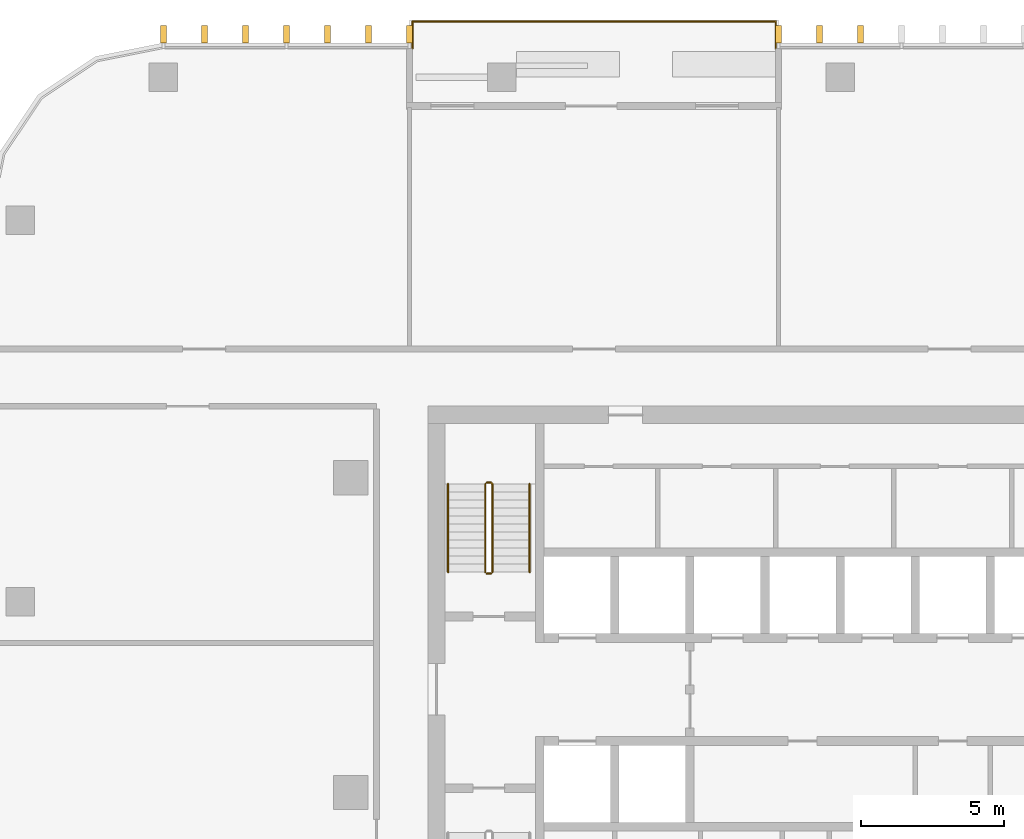
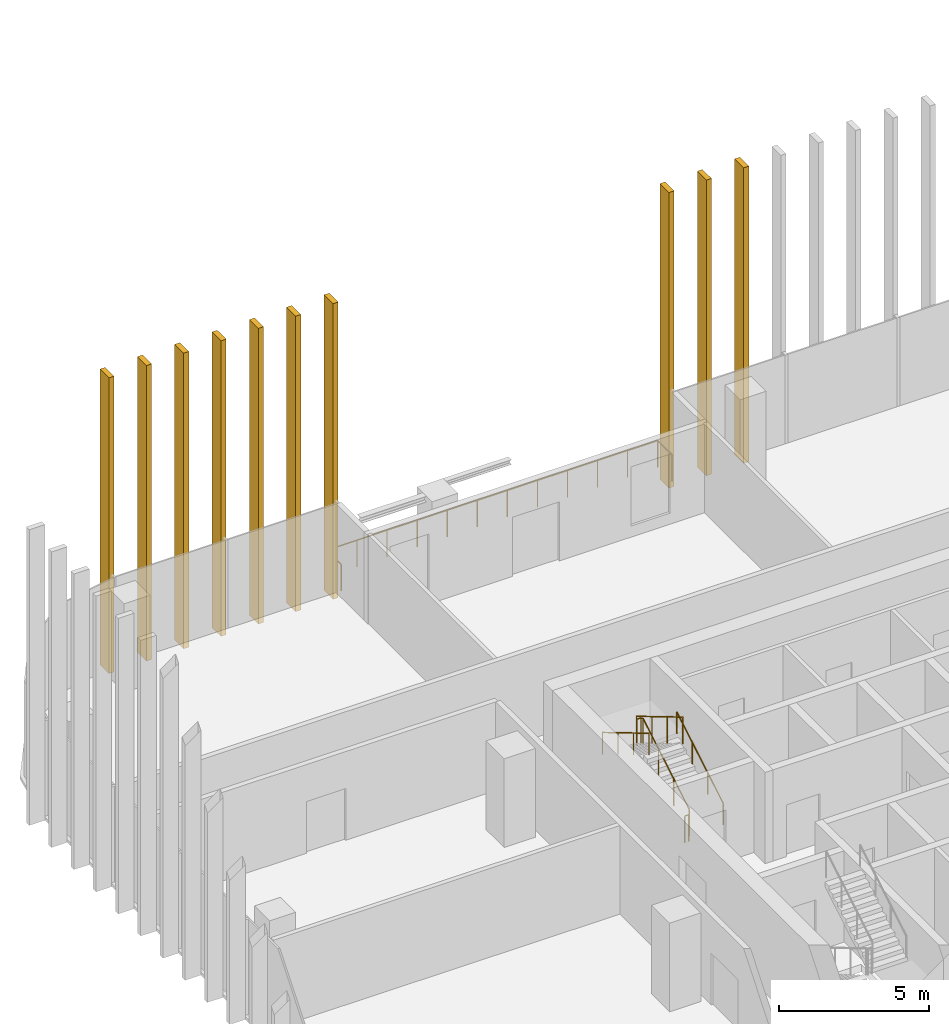
# One storey, part 15 of 16: 10 shading devices, 6 railings.
"""IFC4 building model written with IfcOpenShell, lengths in metres."""

from ifc_helpers import new_model, si_unit, direction, frame, origin, origin_2d, place, context, subcontext, project, spatial, rectangle, circle, extrude, material, type_object, element, save


model = new_model("IFC4")

# Units and contexts
model_context = context("Model", 3, precision=1e-05, world=origin(), true_north=direction((0.0, 1.0)))
body_context = subcontext(model_context, "Body", "Model", "MODEL_VIEW")
ifc_project = project(units=[si_unit("LENGTHUNIT", "METRE"), si_unit("AREAUNIT", "SQUARE_METRE"), si_unit("VOLUMEUNIT", "CUBIC_METRE"), si_unit("PLANEANGLEUNIT", "RADIAN"), si_unit("MASSUNIT", "GRAM", prefix="KILO")], contexts=[model_context])

# Site, building, storey
site_placement = place(None, origin())
site = spatial("IfcSite", under=ifc_project, at=site_placement, CompositionType="ELEMENT")
building_placement = place(site_placement, origin())
building = spatial("IfcBuilding", under=site, at=building_placement, Name="Mopane Tessera Tower", CompositionType="ELEMENT")
storey_placement = place(building_placement, frame((0.0, 0.0, 291.39990234375)))
storey = spatial("IfcBuildingStorey", under=building, at=storey_placement, Name="L63", CompositionType="ELEMENT", Elevation=291.39990234375)

# Shading devices
ifc_material_1 = material(Name="Glazed ceramic tile")
shading_device_type = type_object("IfcShadingDeviceType", Name="Ceramic tile fin 600 x 200 mm", PredefinedType="USERDEFINED", material=ifc_material_1)
for number, where, z_axis, x_axis, name in (
    (1, (0.716552734375, 26.5, -0.39990234375), (0.0, 0.0, 1.0), (-1.0, 0.0, 0.0), "e:fin:L63:N:5:1"),
    (2, (-0.716552734375, 26.5, -0.39990234375), (0.0, 0.0, 1.0), (-1.0, 0.0, 0.0), "e:fin:L63:N:5:2"),
    (3, (-2.14990234375, 26.5, -0.39990234375), (0.0, 0.0, 1.0), (-1.0, 0.0, 0.0), "e:fin:L63:N:5:3"),
    (4, (-15.050048828125, 26.5, -0.39990234375), (0.0, 0.0, 1.0), (-1.0, 0.0, 0.0), "e:fin:L63:N:9:0"),
    (5, (-16.4833984375, 26.5, -0.39990234375), (0.0, 0.0, 1.0), (-1.0, 0.0, 0.0), "e:fin:L63:N:9:1"),
    (6, (-17.916748046875, 26.5, -0.39990234375), (0.0, 0.0, 1.0), (-1.0, 0.0, 0.0), "e:fin:L63:N:9:2"),
    (7, (-19.35009765625, 26.5, -0.39990234375), (0.0, 0.0, 1.0), (-1.0, 0.0, 0.0), "e:fin:L63:N:10:0"),
    (8, (-20.783447265625, 26.5, -0.39990234375), (0.0, 0.0, 1.0), (-1.0, 0.0, 0.0), "e:fin:L63:N:10:1"),
    (9, (-22.216552734375, 26.5, -0.39990234375), (0.0, 0.0, 1.0), (-1.0, 0.0, 0.0), "e:fin:L63:N:10:2"),
    (10, (-23.64990234375, 26.5, -0.39990234375), (0.0, 0.0, 1.0), (-1.0, 0.0, 0.0), "e:fin:L63:N:10:3"),
):
    element("IfcShadingDevice", number, at=place(storey_placement, frame(where, z_axis=z_axis, x_axis=x_axis)), inside=storey, type_object=shading_device_type, Name=name, ObjectType="FIN", PredefinedType="USERDEFINED", context=body_context, shape_type="SweptSolid", body=[
        extrude(rectangle(XDim=0.199951171875, YDim=0.60009765625, at=origin_2d()), origin(), (0.0, 0.0, 1.0), 12.0),
    ])

# Railings
ifc_material_2 = material(Name="Powder-coated steel balustrade", Category="steel")
railing_type_1 = type_object("IfcRailingType", Name="Escape stair guard 1100 mm", PredefinedType="GUARDRAIL", material=ifc_material_2)
railing_1_placement = place(storey_placement, frame((-12.14990234375, 7.699951171875, 0.166748046875)))
element("IfcRailing", 11, at=railing_1_placement, inside=storey, type_object=railing_type_1, Name="L63 ST2 stair guard 1", PredefinedType="GUARDRAIL", context=body_context, shape_type="SweptSolid", body=[
    extrude(circle(Radius=0.02392578125, at=origin_2d()), frame((0.0, 0.0, 1.076171875), z_axis=(0.0, 0.859308565015, 0.511457515432), x_axis=(-1.0, 0.0, 0.0)), (0.0, 0.0, 1.0), 3.58447265625),
    extrude(circle(Radius=0.02392578125, at=origin_2d()), frame((0.0, 3.080078125, 2.9091796875), z_axis=(-0.707106781187, 0.707106781187, 0.0), x_axis=(-0.707106781187, -0.707106781187, 0.0)), (0.0, 0.0, 1.0), 0.07080078125),
    extrude(circle(Radius=0.02392578125, at=origin_2d()), frame((-0.050048828125, 3.130126953125, 2.9091796875), z_axis=(-1.0, 0.0, 0.0), x_axis=(0.0, -1.0, 0.0)), (0.0, 0.0, 1.0), 0.150146484375),
    extrude(circle(Radius=0.02099609375, at=origin_2d()), origin(), (0.0, 0.0, 1.0), 1.052001953125),
    extrude(circle(Radius=0.02099609375, at=origin_2d()), frame((0.0, 1.026611328125, 0.611083984375)), (0.0, 0.0, 1.0), 1.052001953125),
    extrude(circle(Radius=0.02099609375, at=origin_2d()), frame((0.0, 2.053466796875, 1.22216796875)), (0.0, 0.0, 1.0), 1.052001953125),
    extrude(circle(Radius=0.02099609375, at=origin_2d()), frame((0.0, 3.080078125, 1.833251953125)), (0.0, 0.0, 1.0), 1.052001953125),
    extrude(circle(Radius=0.02099609375, at=origin_2d()), frame((-0.050048828125, 3.130126953125, 1.833251953125)), (0.0, 0.0, 1.0), 1.052001953125),
    extrude(circle(Radius=0.02099609375, at=origin_2d()), frame((-0.2001953125, 3.130126953125, 1.833251953125)), (0.0, 0.0, 1.0), 1.052001953125),
])
railing_2_placement = place(storey_placement, frame((-12.39990234375, 10.780029296875, 2.166748046875)))
element("IfcRailing", 12, at=railing_2_placement, inside=storey, type_object=railing_type_1, Name="L63 ST2 stair guard 2", PredefinedType="GUARDRAIL", context=body_context, shape_type="SweptSolid", body=[
    extrude(circle(Radius=0.02392578125, at=origin_2d()), frame((0.0, 0.0, 1.076171875), z_axis=(0.0, -0.859308565015, 0.511457515432), x_axis=(1.0, 0.0, 0.0)), (0.0, 0.0, 1.0), 3.58447265625),
    extrude(circle(Radius=0.02099609375, at=origin_2d()), origin(), (0.0, 0.0, 1.0), 1.052001953125),
    extrude(circle(Radius=0.02099609375, at=origin_2d()), frame((0.0, -1.026611328125, 0.611083984375)), (0.0, 0.0, 1.0), 1.052001953125),
    extrude(circle(Radius=0.02099609375, at=origin_2d()), frame((0.0, -2.053466796875, 1.22216796875)), (0.0, 0.0, 1.0), 1.052001953125),
    extrude(circle(Radius=0.02099609375, at=origin_2d()), frame((0.0, -3.080078125, 1.833251953125)), (0.0, 0.0, 1.0), 1.052001953125),
])
railing_3_placement = place(storey_placement, frame((-12.199951171875, 7.64990234375, 0.0)))
element("IfcRailing", 13, at=railing_3_placement, inside=storey, type_object=railing_type_1, Name="L63 ST2 stair guard 3", PredefinedType="GUARDRAIL", context=body_context, shape_type="SweptSolid", body=[
    extrude(circle(Radius=0.02392578125, at=origin_2d()), frame((0.0, 0.0, 1.076171875), z_axis=(-1.0, 0.0, 0.0), x_axis=(0.0, -1.0, 0.0)), (0.0, 0.0, 1.0), 0.150146484375),
    extrude(circle(Radius=0.02099609375, at=origin_2d()), origin(), (0.0, 0.0, 1.0), 1.052001953125),
    extrude(circle(Radius=0.02099609375, at=origin_2d()), frame((-0.150146484375, 0.0, 0.0)), (0.0, 0.0, 1.0), 1.052001953125),
])
ifc_material_3 = material(Name="Powder-coated steel balustrade", Category="steel")
railing_type_2 = type_object("IfcRailingType", Name="Escape stair handrail 900 mm", PredefinedType="HANDRAIL", material=ifc_material_3)
railing_4_placement = place(storey_placement, frame((-10.85009765625, 7.699951171875, 0.166748046875)))
element("IfcRailing", 14, at=railing_4_placement, inside=storey, type_object=railing_type_2, Name="L63 ST2 stair handrail 1", PredefinedType="HANDRAIL", context=body_context, shape_type="SweptSolid", body=[
    extrude(circle(Radius=0.02392578125, at=origin_2d()), frame((0.0, 0.0, 0.8759765625), z_axis=(0.0, 0.859308565015, 0.511457515432), x_axis=(-1.0, 0.0, 0.0)), (0.0, 0.0, 1.0), 3.58447265625),
    extrude(circle(Radius=0.02099609375, at=origin_2d()), origin(), (0.0, 0.0, 1.0), 0.851806640625),
    extrude(circle(Radius=0.02099609375, at=origin_2d()), frame((0.0, 1.026611328125, 0.611083984375)), (0.0, 0.0, 1.0), 0.851806640625),
    extrude(circle(Radius=0.02099609375, at=origin_2d()), frame((0.0, 2.053466796875, 1.22216796875)), (0.0, 0.0, 1.0), 0.851806640625),
    extrude(circle(Radius=0.02099609375, at=origin_2d()), frame((0.0, 3.080078125, 1.833251953125)), (0.0, 0.0, 1.0), 0.851806640625),
])
railing_5_placement = place(storey_placement, frame((-13.699951171875, 10.780029296875, 2.166748046875)))
element("IfcRailing", 15, at=railing_5_placement, inside=storey, type_object=railing_type_2, Name="L63 ST2 stair handrail 2", PredefinedType="HANDRAIL", context=body_context, shape_type="SweptSolid", body=[
    extrude(circle(Radius=0.02392578125, at=origin_2d()), frame((0.0, 0.0, 0.8759765625), z_axis=(0.0, -0.859308565015, 0.511457515432), x_axis=(1.0, 0.0, 0.0)), (0.0, 0.0, 1.0), 3.58447265625),
    extrude(circle(Radius=0.02099609375, at=origin_2d()), origin(), (0.0, 0.0, 1.0), 0.851806640625),
    extrude(circle(Radius=0.02099609375, at=origin_2d()), frame((0.0, -1.026611328125, 0.611083984375)), (0.0, 0.0, 1.0), 0.851806640625),
    extrude(circle(Radius=0.02099609375, at=origin_2d()), frame((0.0, -2.053466796875, 1.22216796875)), (0.0, 0.0, 1.0), 0.851806640625),
    extrude(circle(Radius=0.02099609375, at=origin_2d()), frame((0.0, -3.080078125, 1.833251953125)), (0.0, 0.0, 1.0), 0.851806640625),
])
ifc_material_4 = material(Name="Stainless steel S316", Category="steel")
railing_type_3 = type_object("IfcRailingType", Name="Terrace guard 1100", PredefinedType="GUARDRAIL", material=ifc_material_4)
railing_6_placement = place(storey_placement, frame((-2.25, 26.0, 0.0)))
element("IfcRailing", 16, at=railing_6_placement, inside=storey, type_object=railing_type_3, Name="e:nw:L63:N2:guard", PredefinedType="GUARDRAIL", context=body_context, shape_type="SweptSolid", body=[
    extrude(circle(Radius=0.02392578125, at=origin_2d()), frame((0.0, 0.0, 1.076171875), z_axis=(0.0, 1.0, 0.0), x_axis=(-1.0, 0.0, 0.0)), (0.0, 0.0, 1.0), 0.949951171875),
    extrude(circle(Radius=0.02392578125, at=origin_2d()), frame((0.0, 0.949951171875, 1.076171875), z_axis=(-1.0, 0.0, 0.0), x_axis=(0.0, -1.0, 0.0)), (0.0, 0.0, 1.0), 12.699951171875),
    extrude(circle(Radius=0.02392578125, at=origin_2d()), frame((-12.699951171875, 0.949951171875, 1.076171875), z_axis=(0.0, -1.0, 0.0), x_axis=(1.0, 0.0, 0.0)), (0.0, 0.0, 1.0), 0.949951171875),
    extrude(circle(Radius=0.02099609375, at=origin_2d()), origin(), (0.0, 0.0, 1.0), 1.052001953125),
    extrude(circle(Radius=0.02099609375, at=origin_2d()), frame((0.0, 0.949951171875, 0.0)), (0.0, 0.0, 1.0), 1.052001953125),
    extrude(circle(Radius=0.02099609375, at=origin_2d()), frame((-1.154541015625, 0.949951171875, 0.0)), (0.0, 0.0, 1.0), 1.052001953125),
    extrude(circle(Radius=0.02099609375, at=origin_2d()), frame((-2.30908203125, 0.949951171875, 0.0)), (0.0, 0.0, 1.0), 1.052001953125),
    extrude(circle(Radius=0.02099609375, at=origin_2d()), frame((-3.463623046875, 0.949951171875, 0.0)), (0.0, 0.0, 1.0), 1.052001953125),
    extrude(circle(Radius=0.02099609375, at=origin_2d()), frame((-4.6181640625, 0.949951171875, 0.0)), (0.0, 0.0, 1.0), 1.052001953125),
    extrude(circle(Radius=0.02099609375, at=origin_2d()), frame((-5.772705078125, 0.949951171875, 0.0)), (0.0, 0.0, 1.0), 1.052001953125),
    extrude(circle(Radius=0.02099609375, at=origin_2d()), frame((-6.92724609375, 0.949951171875, 0.0)), (0.0, 0.0, 1.0), 1.052001953125),
    extrude(circle(Radius=0.02099609375, at=origin_2d()), frame((-8.081787109375, 0.949951171875, 0.0)), (0.0, 0.0, 1.0), 1.052001953125),
    extrude(circle(Radius=0.02099609375, at=origin_2d()), frame((-9.236328125, 0.949951171875, 0.0)), (0.0, 0.0, 1.0), 1.052001953125),
    extrude(circle(Radius=0.02099609375, at=origin_2d()), frame((-10.390869140625, 0.949951171875, 0.0)), (0.0, 0.0, 1.0), 1.052001953125),
    extrude(circle(Radius=0.02099609375, at=origin_2d()), frame((-11.54541015625, 0.949951171875, 0.0)), (0.0, 0.0, 1.0), 1.052001953125),
    extrude(circle(Radius=0.02099609375, at=origin_2d()), frame((-12.699951171875, 0.949951171875, 0.0)), (0.0, 0.0, 1.0), 1.052001953125),
    extrude(circle(Radius=0.02099609375, at=origin_2d()), frame((-12.699951171875, 0.0, 0.0)), (0.0, 0.0, 1.0), 1.052001953125),
])

save(model, "model.ifc")
